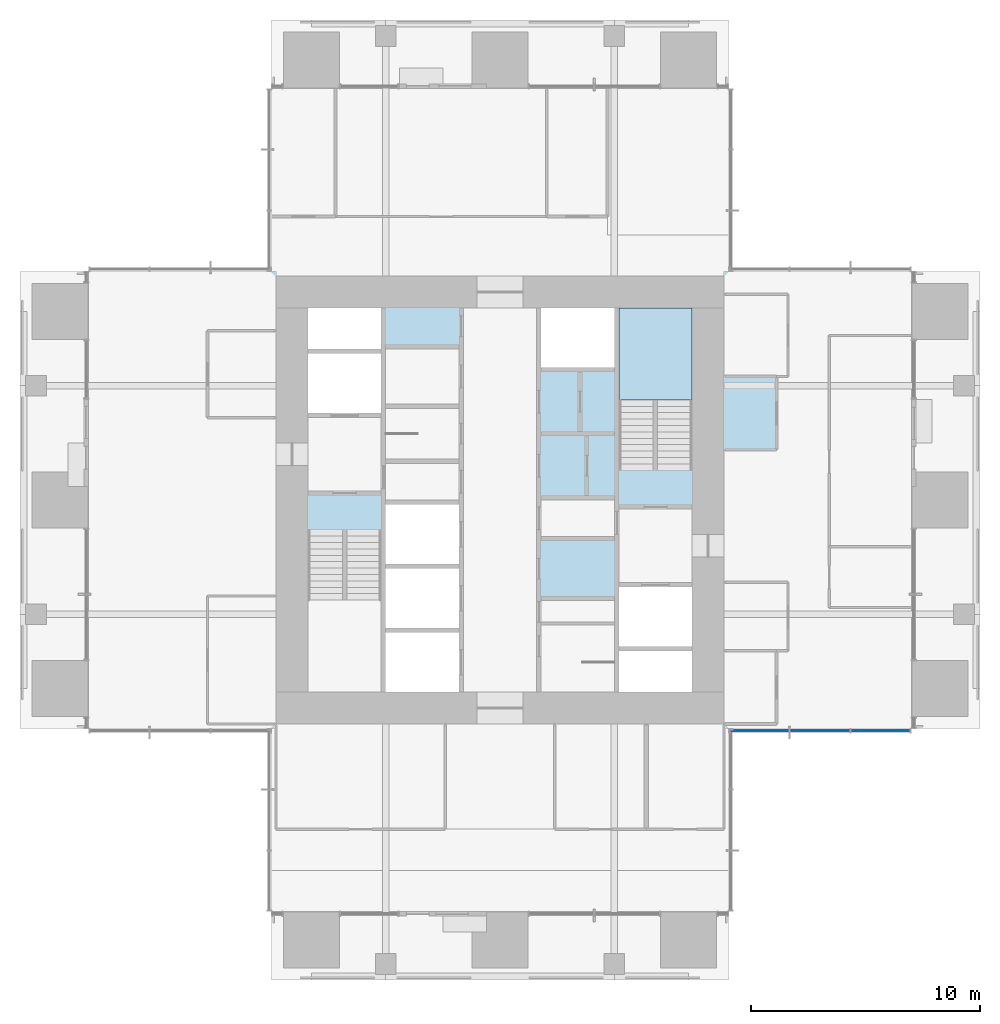
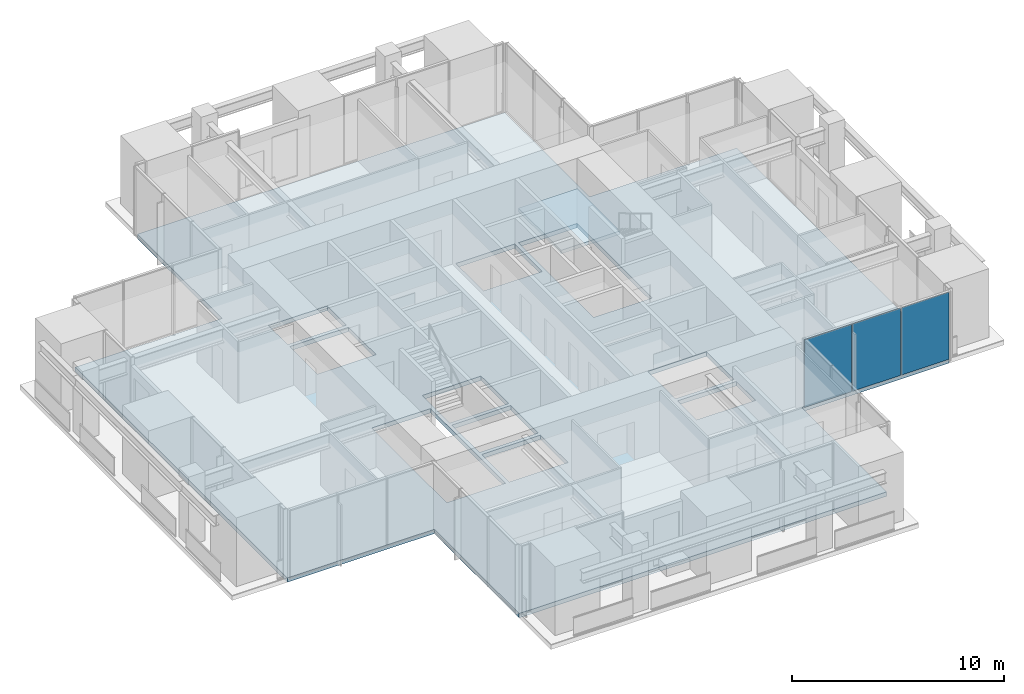
# One storey, part 9 of 17: 3 plates, 2 slabs, 2 elements without a shape of their own.
"""IFC4 building model written with IfcOpenShell, lengths in metres."""

from ifc_helpers import new_model, si_unit, direction, frame, origin, origin_2d, place, context, subcontext, project, spatial, polyline, rectangle, outline, extrude, material, layer, layer_set, type_object, element, aggregate, save


model = new_model("IFC4")

# Units and contexts
model_context = context("Model", 3, precision=1e-05, world=origin(), true_north=direction((0.0, 1.0)))
body_context = subcontext(model_context, "Body", "Model", "MODEL_VIEW")
ifc_project = project(units=[si_unit("LENGTHUNIT", "METRE"), si_unit("AREAUNIT", "SQUARE_METRE"), si_unit("VOLUMEUNIT", "CUBIC_METRE"), si_unit("PLANEANGLEUNIT", "RADIAN"), si_unit("MASSUNIT", "GRAM", prefix="KILO")], contexts=[model_context])

# Site, building, storey
site_placement = place(None, origin())
site = spatial("IfcSite", under=ifc_project, at=site_placement, CompositionType="ELEMENT")
building_placement = place(site_placement, origin())
building = spatial("IfcBuilding", under=site, at=building_placement, Name="Svetlomir Tower", CompositionType="ELEMENT")
storey_placement = place(building_placement, frame((0.0, 0.0, 230.5)))
storey = spatial("IfcBuildingStorey", under=building, at=storey_placement, Name="L55", CompositionType="ELEMENT", Elevation=230.5)

# Curtain wall, plates
ifc_material_1 = material(Name="Bronze anodised aluminium curtain wall", Category="aluminium")
curtain_wall_type = type_object("IfcCurtainWallType", Name="CURTAIN WALL CW1 TOWER OFFICE", PredefinedType="NOTDEFINED", material=ifc_material_1)
curtain_wall_placement = place(storey_placement, origin())
curtain_wall = element("IfcCurtainWall", 1, at=curtain_wall_placement, inside=storey, type_object=curtain_wall_type, Name="Curtain wall CW1 L55", PredefinedType="NOTDEFINED")
ifc_material_2 = material(Name="Tinted double glazed unit", Category="glass")
ifc_layer_1 = layer(ifc_material_2, 0.031982421875)
ifc_layer_set_1 = layer_set([ifc_layer_1], Name="Tinted double glazed unit")
plate_type = type_object("IfcPlateType", Name="CW1 GLAZED PANEL 32", PredefinedType="CURTAIN_PANEL", material=ifc_layer_set_1)
plate_1_placement = place(storey_placement, frame((32.349609375, 10.89990234375, 0.06494140625), z_axis=(0.0, 0.0, 1.0), x_axis=(1.0, 0.0, 0.0)))
plate_1 = element("IfcPlate", 2, at=plate_1_placement, type_object=plate_type, Name="CW1 panel 1.1", PredefinedType="CURTAIN_PANEL", context=body_context, shape_type="SweptSolid", body=[
    extrude(rectangle(XDim=2.569091796875, YDim=0.031982421875, at=origin_2d()), origin(), (0.0, 0.0, 1.0), 3.8701171875),
])
plate_2_placement = place(storey_placement, frame((35.0, 10.89990234375, 0.06494140625), z_axis=(0.0, 0.0, 1.0), x_axis=(1.0, 0.0, 0.0)))
plate_2 = element("IfcPlate", 3, at=plate_2_placement, type_object=plate_type, Name="CW1 panel 2.1", PredefinedType="CURTAIN_PANEL", context=body_context, shape_type="SweptSolid", body=[
    extrude(rectangle(XDim=2.6015625, YDim=0.031982421875, at=origin_2d()), origin(), (0.0, 0.0, 1.0), 3.8701171875),
])
plate_3_placement = place(storey_placement, frame((37.650390625, 10.89990234375, 0.06494140625), z_axis=(0.0, 0.0, 1.0), x_axis=(1.0, 0.0, 0.0)))
plate_3 = element("IfcPlate", 4, at=plate_3_placement, type_object=plate_type, Name="CW1 panel 3.1", PredefinedType="CURTAIN_PANEL", context=body_context, shape_type="SweptSolid", body=[
    extrude(rectangle(XDim=2.569091796875, YDim=0.031982421875, at=origin_2d()), origin(), (0.0, 0.0, 1.0), 3.8701171875),
])
aggregate(curtain_wall, [plate_1, plate_2, plate_3])

# Slab
ifc_material_3 = material(Name="Concrete C60/75", Category="concrete")
ifc_layer_2 = layer(ifc_material_3, 0.25)
ifc_layer_set_2 = layer_set([ifc_layer_2], Name="Concrete C60/75")
slab_type_1 = type_object("IfcSlabType", Name="FLOOR SLAB 250", PredefinedType="FLOOR", material=ifc_layer_set_2)
slab_1_placement = place(storey_placement, frame((0.0, 0.0, -0.25)))
element("IfcSlab", 5, at=slab_1_placement, inside=storey, type_object=slab_type_1, Name="L55 floor slab", PredefinedType="FLOOR", context=body_context, shape_type="SweptSolid", body=[
    extrude(outline(polyline([(11.0, 3.0), (31.0, 3.0), (31.0, 11.0), (39.0, 11.0), (39.0, 31.0), (31.0, 31.0), (31.0, 39.0), (11.0, 39.0), (11.0, 31.0), (3.0, 31.0), (3.0, 11.0), (11.0, 11.0), (11.0, 3.0)]), holes=[polyline([(12.60009765625, 24.800048828125), (15.800048828125, 24.800048828125), (15.800048828125, 27.39990234375), (12.60009765625, 27.39990234375), (12.60009765625, 24.800048828125)]), polyline([(26.199951171875, 14.60009765625), (29.39990234375, 14.60009765625), (29.39990234375, 17.199951171875), (26.199951171875, 17.199951171875), (26.199951171875, 14.60009765625)]), polyline([(16.0, 12.60009765625), (19.199951171875, 12.60009765625), (19.199951171875, 15.199951171875), (16.0, 15.199951171875), (16.0, 12.60009765625)]), polyline([(16.0, 15.39990234375), (19.199951171875, 15.39990234375), (19.199951171875, 18.0), (16.0, 18.0), (16.0, 15.39990234375)]), polyline([(16.0, 18.199951171875), (19.199951171875, 18.199951171875), (19.199951171875, 20.800048828125), (16.0, 20.800048828125), (16.0, 18.199951171875)]), polyline([(22.800048828125, 26.800048828125), (26.0, 26.800048828125), (26.0, 29.39990234375), (22.800048828125, 29.39990234375), (22.800048828125, 26.800048828125)]), polyline([(12.60009765625, 27.60009765625), (15.800048828125, 27.60009765625), (15.800048828125, 29.39990234375), (12.60009765625, 29.39990234375), (12.60009765625, 27.60009765625)]), polyline([(26.199951171875, 12.60009765625), (29.39990234375, 12.60009765625), (29.39990234375, 14.39990234375), (26.199951171875, 14.39990234375), (26.199951171875, 12.60009765625)]), polyline([(12.60009765625, 12.60009765625), (15.800048828125, 12.60009765625), (15.800048828125, 19.679931640625), (12.60009765625, 19.679931640625), (12.60009765625, 12.60009765625)]), polyline([(26.199951171875, 22.320068359375), (29.39990234375, 22.320068359375), (29.39990234375, 29.39990234375), (26.199951171875, 29.39990234375), (26.199951171875, 22.320068359375)])]), origin(), (0.0, 0.0, 1.0), 0.25),
])

# Stair, slab
ifc_material_4 = material(Name="Concrete C60/75", Category="concrete")
stair_type = type_object("IfcStairType", Name="EXIT STAIR 3200 RISE 4000", PredefinedType="HALF_TURN_STAIR", material=ifc_material_4)
stair_placement = place(storey_placement, origin())
stair = element("IfcStair", 6, at=stair_placement, inside=storey, type_object=stair_type, Name="Stair S2 L55 to L56", PredefinedType="HALF_TURN_STAIR")
ifc_material_5 = material(Name="Concrete C60/75", Category="concrete")
ifc_layer_3 = layer(ifc_material_5, 0.199951171875)
ifc_layer_set_3 = layer_set([ifc_layer_3], Name="Concrete C60/75")
slab_type_2 = type_object("IfcSlabType", Name="STAIR LANDING 200", PredefinedType="LANDING", material=ifc_layer_set_3)
slab_2_placement = place(storey_placement, frame((0.0, 0.0, 1.800048828125)))
slab_2 = element("IfcSlab", 7, at=slab_2_placement, type_object=slab_type_2, Name="S2 landing 1", PredefinedType="LANDING", context=body_context, shape_type="SweptSolid", body=[
    extrude(outline(polyline([(26.199951171875, 25.3798828125), (29.39990234375, 25.3798828125), (29.39990234375, 29.39990234375), (26.199951171875, 29.39990234375), (26.199951171875, 25.3798828125)])), origin(), (0.0, 0.0, 1.0), 0.199951171875),
])
aggregate(stair, [slab_2])

save(model, "model.ifc")
